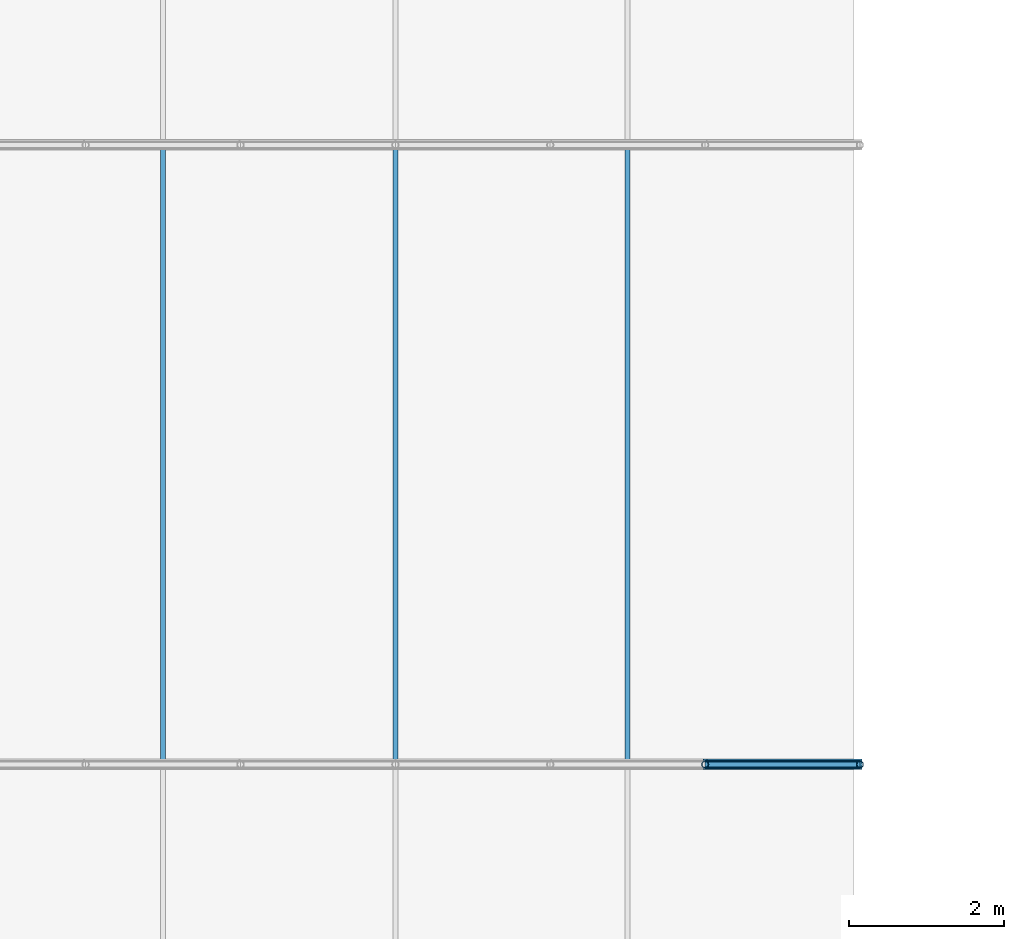
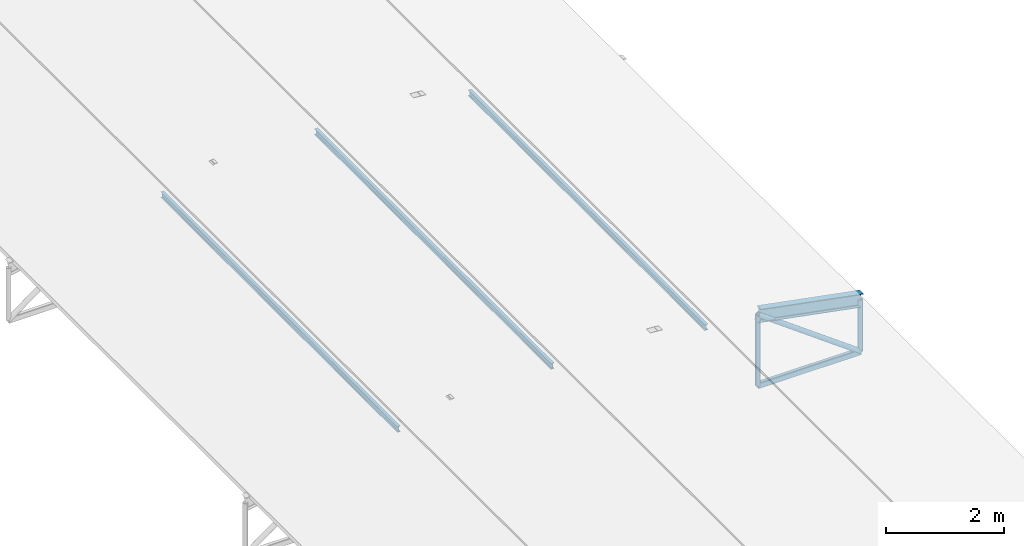
# One storey, part 41 of 54: 8 members.
"""IFC4 building model written with IfcOpenShell, lengths in metres."""

from ifc_helpers import new_model, si_unit, derived_unit, direction, frame, origin, origin_2d, place, context, subcontext, project, spatial, hollow_rectangle, hollow_circle, i_section, extrude, material, material_profile, profile_set, type_object, element, save


model = new_model("IFC4")

# Units and contexts
model_context = context("Model", 3, precision=1e-05, world=origin(), true_north=direction((0.0, 1.0)))
body_context = subcontext(model_context, "Body", "Model", "MODEL_VIEW")
ifc_project = project(units=[si_unit("LENGTHUNIT", "METRE"), si_unit("AREAUNIT", "SQUARE_METRE"), si_unit("VOLUMEUNIT", "CUBIC_METRE"), si_unit("PLANEANGLEUNIT", "RADIAN"), si_unit("MASSUNIT", "GRAM", prefix="KILO"), derived_unit("THERMALTRANSMITTANCEUNIT", [(si_unit("POWERUNIT", "WATT"), 1), (si_unit("LENGTHUNIT", "METRE"), -2), (si_unit("THERMODYNAMICTEMPERATUREUNIT", "KELVIN"), -1)])], contexts=[model_context])

# Site, building, storey
site_placement = place(None, origin())
site = spatial("IfcSite", under=ifc_project, at=site_placement, CompositionType="ELEMENT")
building_placement = place(site_placement, origin())
building = spatial("IfcBuilding", under=site, at=building_placement, Name="Keldorne Ridge Multi-Sports Centre", CompositionType="ELEMENT")
storey_placement = place(building_placement, frame((0.0, 0.0, 22.199951171875)))
storey = spatial("IfcBuildingStorey", under=building, at=storey_placement, Name="ROOF", CompositionType="ELEMENT", Elevation=22.199951171875)

# Members
ifc_material = material(Name="Steel S355", Category="steel")
ifc_material_profile_1 = material_profile(ifc_material, i_section(OverallWidth=0.06396484375, OverallDepth=0.1201171875, WebThickness=0.00439453125, FlangeThickness=0.00634765625, FilletRadius=0.007080078125, at=origin_2d()), Name="IPE 120")
ifc_profile_set_1 = profile_set([ifc_material_profile_1], Name="Steel S355")
member_type_1 = type_object("IfcMemberType", Name="MEM-PR-05", PredefinedType="PURLIN", material=ifc_profile_set_1)
for number, where, z_axis, x_axis, name in (
    (1, (87.0, 90.0, -12.179931640625), (0.0, 1.0, 0.0), (-1.0, 0.0, 0.0), "Public Passage canopy purlin 87.11"),
    (2, (90.0, 90.0, -11.929931640625), (0.0, 1.0, 0.0), (-1.0, 0.0, 0.0), "Public Passage canopy purlin 90.11"),
    (3, (93.0, 90.0, -12.179931640625), (0.0, 1.0, 0.0), (-1.0, 0.0, 0.0), "Public Passage canopy purlin 93.11"),
):
    element("IfcMember", number, at=place(storey_placement, frame(where, z_axis=z_axis, x_axis=x_axis)), inside=storey, type_object=member_type_1, Name=name, PredefinedType="PURLIN", context=body_context, shape_type="SweptSolid", body=[
        extrude(i_section(OverallWidth=0.06396484375, OverallDepth=0.1201171875, WebThickness=0.00439453125, FlangeThickness=0.00634765625, FilletRadius=0.007080078125, at=origin_2d()), origin(), (0.0, 0.0, 1.0), 8.0),
    ])
ifc_material_profile_2 = material_profile(ifc_material, i_section(OverallWidth=0.135009765625, OverallDepth=0.27001953125, WebThickness=0.006591796875, FlangeThickness=0.01025390625, FilletRadius=0.014892578125, at=origin_2d()), Name="IPE 270")
ifc_profile_set_2 = profile_set([ifc_material_profile_2], Name="Steel S355")
member_type_2 = type_object("IfcMemberType", Name="MEM-RF-02", PredefinedType="RAFTER", material=ifc_profile_set_2)
member_1_placement = place(storey_placement, frame((94.0, 90.0, -12.260009765625), z_axis=(0.982435006317, 0.0, -0.186605086649), x_axis=(0.0, 1.0, 0.0)))
element("IfcMember", 4, at=member_1_placement, inside=storey, type_object=member_type_2, Name="Public Passage bowstring arch top chord 11.6", PredefinedType="RAFTER", context=body_context, shape_type="SweptSolid", body=[
    extrude(i_section(OverallWidth=0.135009765625, OverallDepth=0.27001953125, WebThickness=0.006591796875, FlangeThickness=0.01025390625, FilletRadius=0.014892578125, at=origin_2d()), origin(), (0.0, 0.0, 1.0), 2.03564453125),
])
ifc_material_profile_3 = material_profile(ifc_material, hollow_rectangle(XDim=0.080078125, YDim=0.1201171875, WallThickness=0.008056640625, InnerFilletRadius=0.008056640625, OuterFilletRadius=0.01611328125, at=origin_2d()), Name="RHS 120x80x8")
ifc_profile_set_3 = profile_set([ifc_material_profile_3], Name="Steel S355")
member_type_3 = type_object("IfcMemberType", Name="MEM-TC-07", PredefinedType="CHORD", material=ifc_profile_set_3)
member_2_placement = place(storey_placement, frame((94.0, 90.0, -13.719970703125), z_axis=(1.0, 0.0, 0.0), x_axis=(0.0, 1.0, 0.0)))
element("IfcMember", 5, at=member_2_placement, inside=storey, type_object=member_type_3, Name="Public Passage bowstring tie chord 11.6", PredefinedType="CHORD", context=body_context, shape_type="SweptSolid", body=[
    extrude(hollow_rectangle(XDim=0.080078125, YDim=0.1201171875, WallThickness=0.008056640625, InnerFilletRadius=0.008056640625, OuterFilletRadius=0.01611328125, at=origin_2d()), origin(), (0.0, 0.0, 1.0), 2.0),
])
ifc_material_profile_4 = material_profile(ifc_material, hollow_circle(Radius=0.05078125, WallThickness=0.00634765625, at=origin_2d()), Name="CHS 101.6x6.3")
ifc_profile_set_4 = profile_set([ifc_material_profile_4], Name="Steel S355")
member_type_4 = type_object("IfcMemberType", Name="MEM-TD-05", PredefinedType="BRACE", material=ifc_profile_set_4)
member_3_placement = place(storey_placement, frame((94.0, 90.0, -12.260009765625), z_axis=(0.8076945033, 0.0, -0.589601212125), x_axis=(0.0, 1.0, 0.0)))
element("IfcMember", 6, at=member_3_placement, inside=storey, type_object=member_type_4, Name="Public Passage bowstring web diagonal 11.6", PredefinedType="BRACE", context=body_context, shape_type="SweptSolid", body=[
    extrude(hollow_circle(Radius=0.05078125, WallThickness=0.00634765625, at=origin_2d()), origin(), (0.0, 0.0, 1.0), 2.47607421875),
])
ifc_material_profile_5 = material_profile(ifc_material, hollow_circle(Radius=0.04443359375, WallThickness=0.0048828125, at=origin_2d()), Name="CHS 88.9x5")
ifc_profile_set_5 = profile_set([ifc_material_profile_5], Name="Steel S355")
member_type_5 = type_object("IfcMemberType", Name="MEM-TV-07", PredefinedType="STRUT", material=ifc_profile_set_5)
member_4_placement = place(storey_placement, frame((94.0, 90.0, -13.719970703125), z_axis=(0.0, 0.0, 1.0), x_axis=(1.0, 0.0, 0.0)))
element("IfcMember", 7, at=member_4_placement, inside=storey, type_object=member_type_5, Name="Public Passage bowstring hanger 11.6", PredefinedType="STRUT", context=body_context, shape_type="SweptSolid", body=[
    extrude(hollow_circle(Radius=0.04443359375, WallThickness=0.0048828125, at=origin_2d()), origin(), (0.0, 0.0, 1.0), 1.4599609375),
])
member_5_placement = place(storey_placement, frame((96.0, 90.0, -13.719970703125), z_axis=(0.0, 0.0, 1.0), x_axis=(1.0, 0.0, 0.0)))
element("IfcMember", 8, at=member_5_placement, inside=storey, type_object=member_type_5, Name="Public Passage bowstring hanger 11.7", PredefinedType="STRUT", context=body_context, shape_type="SweptSolid", body=[
    extrude(hollow_circle(Radius=0.04443359375, WallThickness=0.0048828125, at=origin_2d()), origin(), (0.0, 0.0, 1.0), 1.080078125),
])

save(model, "model.ifc")
